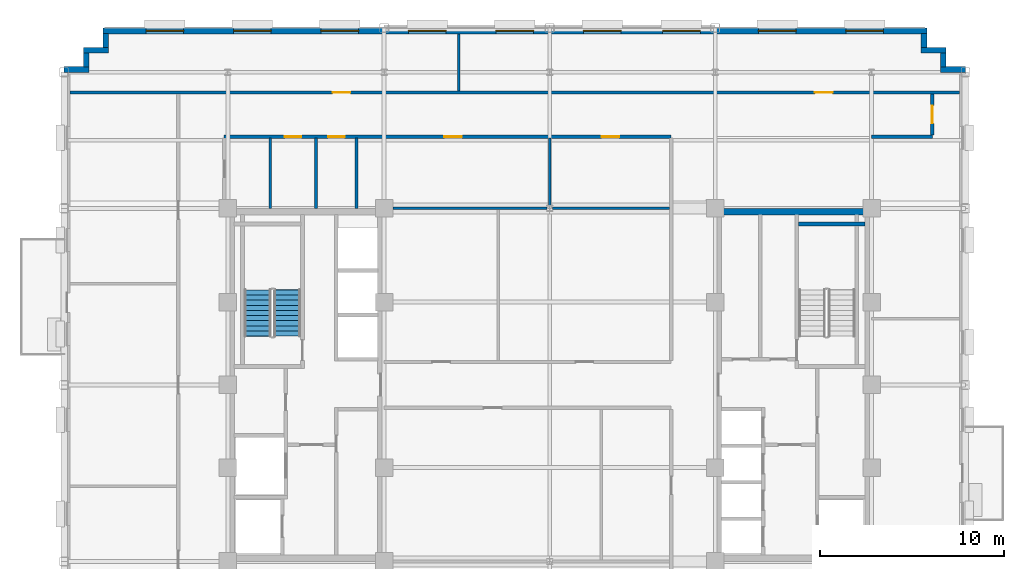
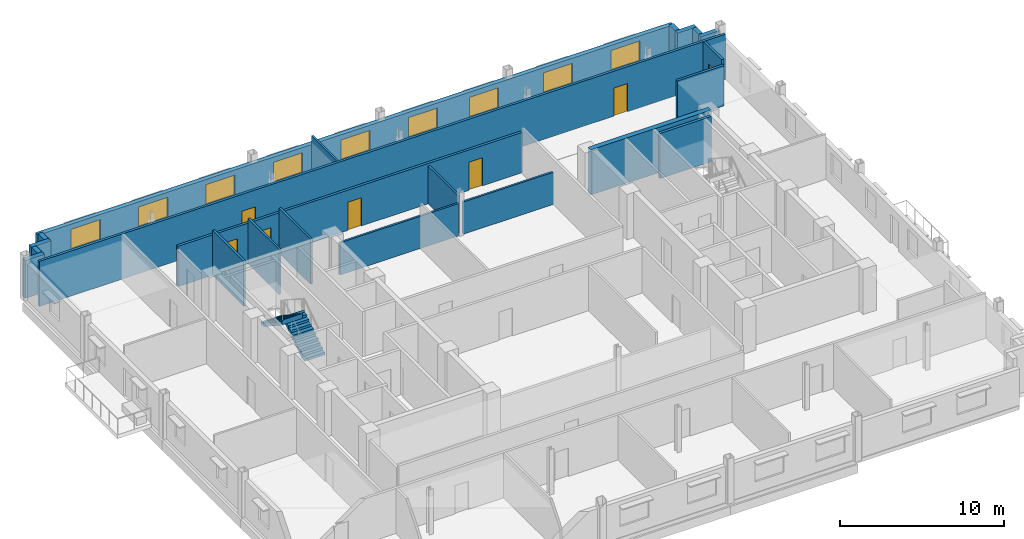
# One storey, part 10 of 15: 22 walls, 9 windows, 7 doors, 2 stair flights, 16 openings, 1 element without a shape of its own.
"""IFC4 building model written with IfcOpenShell, lengths in metres."""

from ifc_helpers import new_model, si_unit, direction, frame, frame_2d, origin, place, context, subcontext, project, spatial, polyline, rectangle, outline, extrude, source, transform, mapped, material, layer, layer_set, type_object, type_shapes, element, fill, aggregate, save


model = new_model("IFC4")

# Units and contexts
model_context = context("Model", 3, precision=1e-05, world=origin(), true_north=direction((0.0, 1.0)))
body_context = subcontext(model_context, "Body", "Model", "MODEL_VIEW")
ifc_project = project(units=[si_unit("LENGTHUNIT", "METRE"), si_unit("AREAUNIT", "SQUARE_METRE"), si_unit("VOLUMEUNIT", "CUBIC_METRE"), si_unit("PLANEANGLEUNIT", "RADIAN"), si_unit("MASSUNIT", "GRAM", prefix="KILO")], contexts=[model_context])

# Site, building, storey
site_placement = place(None, origin())
site = spatial("IfcSite", under=ifc_project, at=site_placement, CompositionType="ELEMENT")
building_placement = place(site_placement, origin())
building = spatial("IfcBuilding", under=site, at=building_placement, Name="Nuvemarco Arch Tower", CompositionType="ELEMENT")
storey_placement = place(building_placement, frame((0.0, 0.0, 198.199951171875)))
storey = spatial("IfcBuildingStorey", under=building, at=storey_placement, Name="L52", CompositionType="ELEMENT", Elevation=198.199951171875)

# Walls
ifc_material_1 = material(Name="Precast concrete C45/55", Category="concrete")
ifc_layer_1 = layer(ifc_material_1, 0.31005859375, Name="EW-UPP-310")
ifc_layer_set_1 = layer_set([ifc_layer_1], Name="Precast concrete C45/55")
wall_type_1 = type_object("IfcWallType", Name="EW-UPP-310", PredefinedType="STANDARD", material=ifc_layer_set_1)
wall_1_placement = place(storey_placement, frame((21.239990234375, 17.14501953125, 0.0), z_axis=(0.0, 0.0, 1.0), x_axis=(1.0, 0.0, 0.0)))
element("IfcWall", 1, at=wall_1_placement, inside=storey, type_object=wall_type_1, Name="L52 exterior precast facade wall 7", PredefinedType="STANDARD", context=body_context, shape_type="SweptSolid", body=[
    extrude(rectangle(XDim=1.360107421875, YDim=0.31005859375, at=frame_2d((0.68017578125, 0.0))), origin(), (0.0, 0.0, 1.0), 2.816162109375),
])
wall_2_placement = place(storey_placement, frame((21.39501953125, 17.2958984375, 0.0), z_axis=(0.0, 0.0, 1.0), x_axis=(0.0, 1.0, 0.0)))
element("IfcWall", 2, at=wall_2_placement, inside=storey, type_object=wall_type_1, Name="L52 exterior precast facade wall 8", PredefinedType="STANDARD", context=body_context, shape_type="SweptSolid", body=[
    extrude(rectangle(XDim=0.748046875, YDim=0.31005859375, at=frame_2d((0.3740234375, 0.0))), origin(), (0.0, 0.0, 1.0), 2.816162109375),
])
wall_3_placement = place(storey_placement, frame((20.18994140625, 18.195068359375, 0.0), z_axis=(0.0, 0.0, 1.0), x_axis=(1.0, 0.0, 0.0)))
element("IfcWall", 3, at=wall_3_placement, inside=storey, type_object=wall_type_1, Name="L52 exterior precast facade wall 9", PredefinedType="STANDARD", context=body_context, shape_type="SweptSolid", body=[
    extrude(rectangle(XDim=1.360107421875, YDim=0.31005859375, at=frame_2d((0.68017578125, 0.0))), origin(), (0.0, 0.0, 1.0), 2.816162109375),
])
wall_4_placement = place(storey_placement, frame((20.344970703125, 18.345947265625, 0.0), z_axis=(0.0, 0.0, 1.0), x_axis=(0.0, 1.0, 0.0)))
element("IfcWall", 4, at=wall_4_placement, inside=storey, type_object=wall_type_1, Name="L52 exterior precast facade wall 10", PredefinedType="STANDARD", context=body_context, shape_type="SweptSolid", body=[
    extrude(rectangle(XDim=0.748046875, YDim=0.31005859375, at=frame_2d((0.3740234375, 0.0))), origin(), (0.0, 0.0, 1.0), 2.816162109375),
])

# Wall, openings, windows
wall_5_placement = place(storey_placement, frame((-24.300048828125, 19.2451171875, 0.0), z_axis=(0.0, 0.0, 1.0), x_axis=(1.0, 0.0, 0.0)))
wall_5 = element("IfcWall", 5, at=wall_5_placement, inside=storey, type_object=wall_type_1, Name="L52 exterior precast facade wall 11", PredefinedType="STANDARD", context=body_context, shape_type="SweptSolid", body=[
    extrude(rectangle(XDim=44.800048828125, YDim=0.31005859375, at=frame_2d((22.39990234375, 0.0))), origin(), (0.0, 0.0, 1.0), 2.705078125),
])
opening_1_placement = place(wall_5_placement, frame((2.352783203125, 0.0, 0.800048828125)))
opening_1 = element("IfcOpeningElement", 6, at=opening_1_placement, cuts=wall_5, Name="Opening WN-12", PredefinedType="OPENING", context=body_context, shape_type="SweptSolid", body=[
    extrude(rectangle(XDim=2.050048828125, YDim=1.52001953125, at=frame_2d((1.02490234375, 0.760009765625))), frame((0.0, 0.1650390625, 0.0), z_axis=(0.0, -1.0, 0.0), x_axis=(1.0, 0.0, 0.0)), (0.0, 0.0, 1.0), 0.330078125),
])
opening_2_placement = place(wall_5_placement, frame((7.1083984375, 0.0, 0.800048828125)))
opening_2 = element("IfcOpeningElement", 7, at=opening_2_placement, cuts=wall_5, Name="Opening WN-12", PredefinedType="OPENING", context=body_context, shape_type="SweptSolid", body=[
    extrude(rectangle(XDim=2.050048828125, YDim=1.52001953125, at=frame_2d((1.02490234375, 0.760009765625))), frame((0.0, 0.1650390625, 0.0), z_axis=(0.0, -1.0, 0.0), x_axis=(1.0, 0.0, 0.0)), (0.0, 0.0, 1.0), 0.330078125),
])
opening_3_placement = place(wall_5_placement, frame((11.864013671875, 0.0, 0.800048828125)))
opening_3 = element("IfcOpeningElement", 8, at=opening_3_placement, cuts=wall_5, Name="Opening WN-12", PredefinedType="OPENING", context=body_context, shape_type="SweptSolid", body=[
    extrude(rectangle(XDim=2.050048828125, YDim=1.52001953125, at=frame_2d((1.02490234375, 0.760009765625))), frame((0.0, 0.1650390625, 0.0), z_axis=(0.0, -1.0, 0.0), x_axis=(1.0, 0.0, 0.0)), (0.0, 0.0, 1.0), 0.330078125),
])
opening_4_placement = place(wall_5_placement, frame((16.619384765625, 0.0, 0.800048828125)))
opening_4 = element("IfcOpeningElement", 9, at=opening_4_placement, cuts=wall_5, Name="Opening WN-12", PredefinedType="OPENING", context=body_context, shape_type="SweptSolid", body=[
    extrude(rectangle(XDim=2.050048828125, YDim=1.52001953125, at=frame_2d((1.02490234375, 0.760009765625))), frame((0.0, 0.1650390625, 0.0), z_axis=(0.0, -1.0, 0.0), x_axis=(1.0, 0.0, 0.0)), (0.0, 0.0, 1.0), 0.330078125),
])
opening_5_placement = place(wall_5_placement, frame((21.375, 0.0, 0.800048828125)))
opening_5 = element("IfcOpeningElement", 10, at=opening_5_placement, cuts=wall_5, Name="Opening WN-12", PredefinedType="OPENING", context=body_context, shape_type="SweptSolid", body=[
    extrude(rectangle(XDim=2.050048828125, YDim=1.52001953125, at=frame_2d((1.02490234375, 0.760009765625))), frame((0.0, 0.1650390625, 0.0), z_axis=(0.0, -1.0, 0.0), x_axis=(1.0, 0.0, 0.0)), (0.0, 0.0, 1.0), 0.330078125),
])
opening_6_placement = place(wall_5_placement, frame((26.130615234375, 0.0, 0.800048828125)))
opening_6 = element("IfcOpeningElement", 11, at=opening_6_placement, cuts=wall_5, Name="Opening WN-12", PredefinedType="OPENING", context=body_context, shape_type="SweptSolid", body=[
    extrude(rectangle(XDim=2.050048828125, YDim=1.52001953125, at=frame_2d((1.02490234375, 0.760009765625))), frame((0.0, 0.1650390625, 0.0), z_axis=(0.0, -1.0, 0.0), x_axis=(1.0, 0.0, 0.0)), (0.0, 0.0, 1.0), 0.330078125),
])
opening_7_placement = place(wall_5_placement, frame((30.43603515625, 0.0, 0.800048828125)))
opening_7 = element("IfcOpeningElement", 12, at=opening_7_placement, cuts=wall_5, Name="Opening WN-12", PredefinedType="OPENING", context=body_context, shape_type="SweptSolid", body=[
    extrude(rectangle(XDim=2.050048828125, YDim=1.52001953125, at=frame_2d((1.02490234375, 0.760009765625))), frame((0.0, 0.1650390625, 0.0), z_axis=(0.0, -1.0, 0.0), x_axis=(1.0, 0.0, 0.0)), (0.0, 0.0, 1.0), 0.330078125),
])
opening_8_placement = place(wall_5_placement, frame((35.6416015625, 0.0, 0.800048828125)))
opening_8 = element("IfcOpeningElement", 13, at=opening_8_placement, cuts=wall_5, Name="Opening WN-12", PredefinedType="OPENING", context=body_context, shape_type="SweptSolid", body=[
    extrude(rectangle(XDim=2.050048828125, YDim=1.52001953125, at=frame_2d((1.02490234375, 0.760009765625))), frame((0.0, 0.1650390625, 0.0), z_axis=(0.0, -1.0, 0.0), x_axis=(1.0, 0.0, 0.0)), (0.0, 0.0, 1.0), 0.330078125),
])
opening_9_placement = place(wall_5_placement, frame((40.397216796875, 0.0, 0.800048828125)))
opening_9 = element("IfcOpeningElement", 14, at=opening_9_placement, cuts=wall_5, Name="Opening WN-12", PredefinedType="OPENING", context=body_context, shape_type="SweptSolid", body=[
    extrude(rectangle(XDim=2.050048828125, YDim=1.52001953125, at=frame_2d((1.02490234375, 0.760009765625))), frame((0.0, 0.1650390625, 0.0), z_axis=(0.0, -1.0, 0.0), x_axis=(1.0, 0.0, 0.0)), (0.0, 0.0, 1.0), 0.330078125),
])
ifc_material_2 = material(Name="Insulated solar-control glass", Category="glass")
window_type = type_object("IfcWindowType", Name="WN-SET-2050x1520", PartitioningType="DOUBLE_PANEL_VERTICAL", PredefinedType="WINDOW", material=ifc_material_2)
shared_shape_1 = source(origin(), body_context, "Body", "SweptSolid", [
    extrude(rectangle(XDim=2.050048828125, YDim=1.52001953125, at=frame_2d((1.02490234375, 0.760009765625))), frame((0.0, 0.030029296875, 0.0), z_axis=(0.0, -1.0, 0.0), x_axis=(1.0, 0.0, 0.0)), (0.0, 0.0, 1.0), 0.06005859375),
])
type_shapes(window_type, [shared_shape_1])
window_1_placement = place(opening_1_placement, origin())
window_1 = element("IfcWindow", 15, at=window_1_placement, inside=storey, type_object=window_type, Name="L52 punched facade window 1", OverallHeight=1.52001953125, OverallWidth=2.050048828125, PartitioningType="SINGLE_PANEL", PredefinedType="WINDOW", context=body_context, shape_type="MappedRepresentation", body=[
    mapped(shared_shape_1, transform((0.0, 0.0, 0.0), scale=1.0)),
])
fill(opening_1, window_1)
window_2_placement = place(opening_2_placement, origin())
window_2 = element("IfcWindow", 16, at=window_2_placement, inside=storey, type_object=window_type, Name="L52 punched facade window 2", OverallHeight=1.52001953125, OverallWidth=2.050048828125, PartitioningType="SINGLE_PANEL", PredefinedType="WINDOW", context=body_context, shape_type="MappedRepresentation", body=[
    mapped(shared_shape_1, transform((0.0, 0.0, 0.0), scale=1.0)),
])
fill(opening_2, window_2)
window_3_placement = place(opening_3_placement, origin())
window_3 = element("IfcWindow", 17, at=window_3_placement, inside=storey, type_object=window_type, Name="L52 punched facade window 3", OverallHeight=1.52001953125, OverallWidth=2.050048828125, PartitioningType="SINGLE_PANEL", PredefinedType="WINDOW", context=body_context, shape_type="MappedRepresentation", body=[
    mapped(shared_shape_1, transform((0.0, 0.0, 0.0), scale=1.0)),
])
fill(opening_3, window_3)
window_4_placement = place(opening_4_placement, origin())
window_4 = element("IfcWindow", 18, at=window_4_placement, inside=storey, type_object=window_type, Name="L52 punched facade window 4", OverallHeight=1.52001953125, OverallWidth=2.050048828125, PartitioningType="SINGLE_PANEL", PredefinedType="WINDOW", context=body_context, shape_type="MappedRepresentation", body=[
    mapped(shared_shape_1, transform((0.0, 0.0, 0.0), scale=1.0)),
])
fill(opening_4, window_4)
window_5_placement = place(opening_5_placement, origin())
window_5 = element("IfcWindow", 19, at=window_5_placement, inside=storey, type_object=window_type, Name="L52 punched facade window 5", OverallHeight=1.52001953125, OverallWidth=2.050048828125, PartitioningType="SINGLE_PANEL", PredefinedType="WINDOW", context=body_context, shape_type="MappedRepresentation", body=[
    mapped(shared_shape_1, transform((0.0, 0.0, 0.0), scale=1.0)),
])
fill(opening_5, window_5)
window_6_placement = place(opening_6_placement, origin())
window_6 = element("IfcWindow", 20, at=window_6_placement, inside=storey, type_object=window_type, Name="L52 punched facade window 6", OverallHeight=1.52001953125, OverallWidth=2.050048828125, PartitioningType="SINGLE_PANEL", PredefinedType="WINDOW", context=body_context, shape_type="MappedRepresentation", body=[
    mapped(shared_shape_1, transform((0.0, 0.0, 0.0), scale=1.0)),
])
fill(opening_6, window_6)
window_7_placement = place(opening_7_placement, origin())
window_7 = element("IfcWindow", 21, at=window_7_placement, inside=storey, type_object=window_type, Name="L52 punched facade window 7", OverallHeight=1.52001953125, OverallWidth=2.050048828125, PartitioningType="SINGLE_PANEL", PredefinedType="WINDOW", context=body_context, shape_type="MappedRepresentation", body=[
    mapped(shared_shape_1, transform((0.0, 0.0, 0.0), scale=1.0)),
])
fill(opening_7, window_7)
window_8_placement = place(opening_8_placement, origin())
window_8 = element("IfcWindow", 22, at=window_8_placement, inside=storey, type_object=window_type, Name="L52 punched facade window 8", OverallHeight=1.52001953125, OverallWidth=2.050048828125, PartitioningType="SINGLE_PANEL", PredefinedType="WINDOW", context=body_context, shape_type="MappedRepresentation", body=[
    mapped(shared_shape_1, transform((0.0, 0.0, 0.0), scale=1.0)),
])
fill(opening_8, window_8)
window_9_placement = place(opening_9_placement, origin())
window_9 = element("IfcWindow", 23, at=window_9_placement, inside=storey, type_object=window_type, Name="L52 punched facade window 9", OverallHeight=1.52001953125, OverallWidth=2.050048828125, PartitioningType="SINGLE_PANEL", PredefinedType="WINDOW", context=body_context, shape_type="MappedRepresentation", body=[
    mapped(shared_shape_1, transform((0.0, 0.0, 0.0), scale=1.0)),
])
fill(opening_9, window_9)

# Walls
wall_6_placement = place(storey_placement, frame((-24.14501953125, 18.345947265625, 0.0), z_axis=(0.0, 0.0, 1.0), x_axis=(0.0, 1.0, 0.0)))
element("IfcWall", 24, at=wall_6_placement, inside=storey, type_object=wall_type_1, Name="L52 exterior precast facade wall 12", PredefinedType="STANDARD", context=body_context, shape_type="SweptSolid", body=[
    extrude(rectangle(XDim=0.748046875, YDim=0.31005859375, at=frame_2d((0.3740234375, 0.0))), origin(), (0.0, 0.0, 1.0), 2.816162109375),
])
wall_7_placement = place(storey_placement, frame((-25.35009765625, 18.195068359375, 0.0), z_axis=(0.0, 0.0, 1.0), x_axis=(1.0, 0.0, 0.0)))
element("IfcWall", 25, at=wall_7_placement, inside=storey, type_object=wall_type_1, Name="L52 exterior precast facade wall 13", PredefinedType="STANDARD", context=body_context, shape_type="SweptSolid", body=[
    extrude(rectangle(XDim=1.360107421875, YDim=0.31005859375, at=frame_2d((0.68017578125, 0.0))), origin(), (0.0, 0.0, 1.0), 2.816162109375),
])
wall_8_placement = place(storey_placement, frame((-25.195068359375, 17.2958984375, 0.0), z_axis=(0.0, 0.0, 1.0), x_axis=(0.0, 1.0, 0.0)))
element("IfcWall", 26, at=wall_8_placement, inside=storey, type_object=wall_type_1, Name="L52 exterior precast facade wall 14", PredefinedType="STANDARD", context=body_context, shape_type="SweptSolid", body=[
    extrude(rectangle(XDim=0.748046875, YDim=0.31005859375, at=frame_2d((0.3740234375, 0.0))), origin(), (0.0, 0.0, 1.0), 2.816162109375),
])
wall_9_placement = place(storey_placement, frame((-26.39990234375, 17.14501953125, 0.0), z_axis=(0.0, 0.0, 1.0), x_axis=(1.0, 0.0, 0.0)))
element("IfcWall", 27, at=wall_9_placement, inside=storey, type_object=wall_type_1, Name="L52 exterior precast facade wall 15", PredefinedType="STANDARD", context=body_context, shape_type="SweptSolid", body=[
    extrude(rectangle(XDim=1.35986328125, YDim=0.31005859375, at=frame_2d((0.679931640625, 0.0))), origin(), (0.0, 0.0, 1.0), 2.816162109375),
])
ifc_material_3 = material(Name="Concrete C50/60", Category="concrete")
ifc_layer_2 = layer(ifc_material_3, 0.35009765625, Name="WL-CORE-350")
ifc_layer_set_2 = layer_set([ifc_layer_2], Name="Concrete C50/60")
wall_type_2 = type_object("IfcWallType", Name="WL-CORE-350", PredefinedType="SHEAR", material=ifc_layer_set_2)
wall_10_placement = place(storey_placement, frame((9.0, 9.425048828125, 0.0), z_axis=(0.0, 0.0, 1.0), x_axis=(1.0, 0.0, 0.0)))
element("IfcWall", 28, at=wall_10_placement, inside=storey, type_object=wall_type_2, Name="L52 E-core shear wall N", PredefinedType="SHEAR", context=body_context, shape_type="SweptSolid", body=[
    extrude(rectangle(XDim=8.5, YDim=0.35009765625, at=frame_2d((4.25, 0.0))), origin(), (0.0, 0.0, 1.0), 3.3701171875),
])

# Wall, openings, doors
ifc_material_4 = material(Name="Fire-rated gypsum drywall partition")
ifc_layer_3 = layer(ifc_material_4, 0.179931640625, Name="WL-CORR-180")
ifc_layer_set_3 = layer_set([ifc_layer_3], Name="Fire-rated gypsum drywall partition")
wall_type_3 = type_object("IfcWallType", Name="WL-CORR-180", PredefinedType="PARTITIONING", material=ifc_layer_set_3)
wall_11_placement = place(storey_placement, frame((-17.699951171875, 13.5, 0.0), z_axis=(0.0, 0.0, 1.0), x_axis=(1.0, 0.0, 0.0)))
wall_11 = element("IfcWall", 29, at=wall_11_placement, inside=storey, type_object=wall_type_3, Name="L52 interior wall IW-L52-013", PredefinedType="PARTITIONING", context=body_context, shape_type="SweptSolid", body=[
    extrude(rectangle(XDim=24.300048828125, YDim=0.179931640625, at=frame_2d((12.14990234375, 0.0))), origin(), (0.0, 0.0, 1.0), 3.008056640625),
])
opening_10_placement = place(wall_11_placement, frame((11.969970703125, 0.0, 0.0)))
opening_10 = element("IfcOpeningElement", 30, at=opening_10_placement, cuts=wall_11, Name="Opening FD-5", PredefinedType="OPENING", context=body_context, shape_type="SweptSolid", body=[
    extrude(rectangle(XDim=0.9599609375, YDim=2.10009765625, at=frame_2d((0.47998046875, 1.050048828125))), frame((0.0, 0.099853515625, 0.0), z_axis=(0.0, -1.0, 0.0), x_axis=(1.0, 0.0, 0.0)), (0.0, 0.0, 1.0), 0.199951171875),
])
opening_11_placement = place(wall_11_placement, frame((20.52001953125, 0.0, 0.0)))
opening_11 = element("IfcOpeningElement", 31, at=opening_11_placement, cuts=wall_11, Name="Opening FD-5", PredefinedType="OPENING", context=body_context, shape_type="SweptSolid", body=[
    extrude(rectangle(XDim=0.9599609375, YDim=2.10009765625, at=frame_2d((0.47998046875, 1.050048828125))), frame((0.0, 0.099853515625, 0.0), z_axis=(0.0, -1.0, 0.0), x_axis=(1.0, 0.0, 0.0)), (0.0, 0.0, 1.0), 0.199951171875),
])
opening_12_placement = place(wall_11_placement, frame((3.300048828125, 0.0, 0.0)))
opening_12 = element("IfcOpeningElement", 32, at=opening_12_placement, cuts=wall_11, Name="Opening ID-3", PredefinedType="OPENING", context=body_context, shape_type="SweptSolid", body=[
    extrude(rectangle(XDim=0.89990234375, YDim=2.10009765625, at=frame_2d((0.449951171875, 1.050048828125))), frame((0.0, 0.099853515625, 0.0), z_axis=(0.0, -1.0, 0.0), x_axis=(1.0, 0.0, 0.0)), (0.0, 0.0, 1.0), 0.199951171875),
])
opening_13_placement = place(wall_11_placement, frame((5.64990234375, 0.0, 0.0)))
opening_13 = element("IfcOpeningElement", 33, at=opening_13_placement, cuts=wall_11, Name="Opening ID-3", PredefinedType="OPENING", context=body_context, shape_type="SweptSolid", body=[
    extrude(rectangle(XDim=0.89990234375, YDim=2.10009765625, at=frame_2d((0.449951171875, 1.050048828125))), frame((0.0, 0.099853515625, 0.0), z_axis=(0.0, -1.0, 0.0), x_axis=(1.0, 0.0, 0.0)), (0.0, 0.0, 1.0), 0.199951171875),
])
ifc_material_5 = material(Name="Timber fire door", Category="wood")
door_type_1 = type_object("IfcDoorType", Name="DR-CORR-FD", OperationType="NOTDEFINED", PredefinedType="DOOR", material=ifc_material_5)
shared_shape_2 = source(origin(), body_context, "Body", "SweptSolid", [
    extrude(rectangle(XDim=0.9599609375, YDim=2.10009765625, at=frame_2d((0.47998046875, 1.050048828125))), frame((0.0, 0.02490234375, 0.0), z_axis=(0.0, -1.0, 0.0), x_axis=(1.0, 0.0, 0.0)), (0.0, 0.0, 1.0), 0.050048828125),
])
type_shapes(door_type_1, [shared_shape_2])
door_1_placement = place(opening_10_placement, origin())
door_1 = element("IfcDoor", 34, at=door_1_placement, inside=storey, type_object=door_type_1, Name="L52 door DR-L52-IN_N1", OperationType="SINGLE_SWING_RIGHT", OverallHeight=2.10009765625, OverallWidth=0.9599609375, PredefinedType="DOOR", context=body_context, shape_type="MappedRepresentation", body=[
    mapped(shared_shape_2, transform((0.0, 0.0, 0.0), scale=1.0)),
])
fill(opening_10, door_1)
door_2_placement = place(opening_11_placement, origin())
door_2 = element("IfcDoor", 35, at=door_2_placement, inside=storey, type_object=door_type_1, Name="L52 door DR-L52-IN_N2", OperationType="SINGLE_SWING_RIGHT", OverallHeight=2.10009765625, OverallWidth=0.9599609375, PredefinedType="DOOR", context=body_context, shape_type="MappedRepresentation", body=[
    mapped(shared_shape_2, transform((0.0, 0.0, 0.0), scale=1.0)),
])
fill(opening_11, door_2)
ifc_material_6 = material(Name="Veneered oak timber fire door", Category="wood")
door_type_2 = type_object("IfcDoorType", Name="DR-WC-ACC", OperationType="NOTDEFINED", PredefinedType="DOOR", material=ifc_material_6)
shared_shape_3 = source(origin(), body_context, "Body", "SweptSolid", [
    extrude(rectangle(XDim=0.89990234375, YDim=2.10009765625, at=frame_2d((0.449951171875, 1.050048828125))), frame((0.0, 0.02490234375, 0.0), z_axis=(0.0, -1.0, 0.0), x_axis=(1.0, 0.0, 0.0)), (0.0, 0.0, 1.0), 0.050048828125),
])
type_shapes(door_type_2, [shared_shape_3])
door_3_placement = place(opening_12_placement, origin())
door_3 = element("IfcDoor", 36, at=door_3_placement, inside=storey, type_object=door_type_2, Name="L52 door DR-L52-WC_F", OperationType="SINGLE_SWING_LEFT", OverallHeight=2.10009765625, OverallWidth=0.89990234375, PredefinedType="DOOR", context=body_context, shape_type="MappedRepresentation", body=[
    mapped(shared_shape_3, transform((0.0, 0.0, 0.0), scale=1.0)),
])
fill(opening_12, door_3)
door_4_placement = place(opening_13_placement, origin())
door_4 = element("IfcDoor", 37, at=door_4_placement, inside=storey, type_object=door_type_2, Name="L52 door DR-L52-WC_ACC", OperationType="SINGLE_SWING_RIGHT", OverallHeight=2.10009765625, OverallWidth=0.89990234375, PredefinedType="DOOR", context=body_context, shape_type="MappedRepresentation", body=[
    mapped(shared_shape_3, transform((0.0, 0.0, 0.0), scale=1.0)),
])
fill(opening_13, door_4)

# Wall
wall_12_placement = place(storey_placement, frame((17.5, 13.5, 0.0), z_axis=(0.0, 0.0, 1.0), x_axis=(1.0, 0.0, 0.0)))
element("IfcWall", 38, at=wall_12_placement, inside=storey, type_object=wall_type_3, Name="L52 interior wall IW-L52-014", PredefinedType="PARTITIONING", context=body_context, shape_type="SweptSolid", body=[
    extrude(rectangle(XDim=3.300048828125, YDim=0.179931640625, at=frame_2d((1.64990234375, 0.0))), origin(), (0.0, 0.0, 1.0), 3.008056640625),
])

# Wall, openings, doors
wall_13_placement = place(storey_placement, frame((-26.090087890625, 15.89990234375, 0.0), z_axis=(0.0, 0.0, 1.0), x_axis=(1.0, 0.0, 0.0)))
wall_13 = element("IfcWall", 39, at=wall_13_placement, inside=storey, type_object=wall_type_3, Name="L52 interior wall IW-L52-015", PredefinedType="PARTITIONING", context=body_context, shape_type="SweptSolid", body=[
    extrude(rectangle(XDim=48.380126953125, YDim=0.179931640625, at=frame_2d((24.18994140625, 0.0))), origin(), (0.0, 0.0, 1.0), 3.360107421875),
])
opening_14_placement = place(wall_13_placement, frame((14.2900390625, 0.0, 0.0)))
opening_14 = element("IfcOpeningElement", 40, at=opening_14_placement, cuts=wall_13, Name="Opening FD-5", PredefinedType="OPENING", context=body_context, shape_type="SweptSolid", body=[
    extrude(rectangle(XDim=0.9599609375, YDim=2.10009765625, at=frame_2d((0.47998046875, 1.050048828125))), frame((0.0, 0.099853515625, 0.0), z_axis=(0.0, -1.0, 0.0), x_axis=(1.0, 0.0, 0.0)), (0.0, 0.0, 1.0), 0.199951171875),
])
opening_15_placement = place(wall_13_placement, frame((40.510009765625, 0.0, 0.0)))
opening_15 = element("IfcOpeningElement", 41, at=opening_15_placement, cuts=wall_13, Name="Opening FD-5", PredefinedType="OPENING", context=body_context, shape_type="SweptSolid", body=[
    extrude(rectangle(XDim=0.9599609375, YDim=2.10009765625, at=frame_2d((0.47998046875, 1.050048828125))), frame((0.0, 0.099853515625, 0.0), z_axis=(0.0, -1.0, 0.0), x_axis=(1.0, 0.0, 0.0)), (0.0, 0.0, 1.0), 0.199951171875),
])
door_5_placement = place(opening_14_placement, origin())
door_5 = element("IfcDoor", 42, at=door_5_placement, inside=storey, type_object=door_type_1, Name="L52 door DR-L52-N_1", OperationType="SINGLE_SWING_RIGHT", OverallHeight=2.10009765625, OverallWidth=0.9599609375, PredefinedType="DOOR", context=body_context, shape_type="MappedRepresentation", body=[
    mapped(shared_shape_2, transform((0.0, 0.0, 0.0), scale=1.0)),
])
fill(opening_14, door_5)
door_6_placement = place(opening_15_placement, origin())
door_6 = element("IfcDoor", 43, at=door_6_placement, inside=storey, type_object=door_type_1, Name="L52 door DR-L52-N_2", OperationType="SINGLE_SWING_LEFT", OverallHeight=2.10009765625, OverallWidth=0.9599609375, PredefinedType="DOOR", context=body_context, shape_type="MappedRepresentation", body=[
    mapped(shared_shape_2, transform((0.0, 0.0, 0.0), scale=1.0)),
])
fill(opening_15, door_6)

# Wall, opening, door
wall_14_placement = place(storey_placement, frame((20.800048828125, 13.5859375, 0.0), z_axis=(0.0, 0.0, 1.0), x_axis=(0.0, 1.0, 0.0)))
wall_14 = element("IfcWall", 44, at=wall_14_placement, inside=storey, type_object=wall_type_3, Name="L52 interior wall IW-L52-034", PredefinedType="PARTITIONING", context=body_context, shape_type="SweptSolid", body=[
    extrude(rectangle(XDim=2.22802734375, YDim=0.179931640625, at=frame_2d((1.114013671875, 0.0))), origin(), (0.0, 0.0, 1.0), 3.360107421875),
])
opening_16_placement = place(wall_14_placement, frame((0.634033203125, 0.0, 0.0)))
opening_16 = element("IfcOpeningElement", 45, at=opening_16_placement, cuts=wall_14, Name="Opening FD-5", PredefinedType="OPENING", context=body_context, shape_type="SweptSolid", body=[
    extrude(rectangle(XDim=0.9599609375, YDim=2.10009765625, at=frame_2d((0.47998046875, 1.050048828125))), frame((0.0, 0.099853515625, 0.0), z_axis=(0.0, -1.0, 0.0), x_axis=(1.0, 0.0, 0.0)), (0.0, 0.0, 1.0), 0.199951171875),
])
door_7_placement = place(opening_16_placement, origin())
door_7 = element("IfcDoor", 46, at=door_7_placement, inside=storey, type_object=door_type_1, Name="L52 door DR-L52-E_2", OperationType="SINGLE_SWING_LEFT", OverallHeight=2.10009765625, OverallWidth=0.9599609375, PredefinedType="DOOR", context=body_context, shape_type="MappedRepresentation", body=[
    mapped(shared_shape_2, transform((0.0, 0.0, 0.0), scale=1.0)),
])
fill(opening_16, door_7)

# Walls
ifc_material_7 = material(Name="Glazed acoustic office partition")
ifc_layer_4 = layer(ifc_material_7, 0.1298828125, Name="WL-EXEC-130")
ifc_layer_set_4 = layer_set([ifc_layer_4], Name="Glazed acoustic office partition")
wall_type_4 = type_object("IfcWallType", Name="WL-EXEC-130", PredefinedType="PARTITIONING", material=ifc_layer_set_4)
wall_15_placement = place(storey_placement, frame((-4.93994140625, 15.986083984375, 0.0), z_axis=(0.0, 0.0, 1.0), x_axis=(0.0, 1.0, 0.0)))
element("IfcWall", 47, at=wall_15_placement, inside=storey, type_object=wall_type_4, Name="L52 interior wall IW-L52-024", PredefinedType="PARTITIONING", context=body_context, shape_type="SweptSolid", body=[
    extrude(rectangle(XDim=3.10400390625, YDim=0.1298828125, at=frame_2d((1.552001953125, 0.0))), origin(), (0.0, 0.0, 1.0), 3.360107421875),
])
ifc_material_8 = material(Name="Gypsum plasterboard partition")
ifc_layer_5 = layer(ifc_material_8, 0.139892578125, Name="WL-ROOM-140")
ifc_layer_set_5 = layer_set([ifc_layer_5], Name="Gypsum plasterboard partition")
wall_type_5 = type_object("IfcWallType", Name="WL-ROOM-140", PredefinedType="PARTITIONING", material=ifc_layer_set_5)
wall_16_placement = place(storey_placement, frame((-8.529052734375, 9.60009765625, 0.0), z_axis=(0.0, 0.0, 1.0), x_axis=(1.0, 0.0, 0.0)))
element("IfcWall", 48, at=wall_16_placement, inside=storey, type_object=wall_type_5, Name="L52 interior wall IW-L52-011", PredefinedType="PARTITIONING", context=body_context, shape_type="SweptSolid", body=[
    extrude(rectangle(XDim=8.378173828125, YDim=0.139892578125, at=frame_2d((4.18896484375, 0.0))), origin(), (0.0, 0.0, 1.0), 2.405029296875),
])
wall_17_placement = place(storey_placement, frame((0.15087890625, 9.60009765625, 0.0), z_axis=(0.0, 0.0, 1.0), x_axis=(1.0, 0.0, 0.0)))
element("IfcWall", 49, at=wall_17_placement, inside=storey, type_object=wall_type_5, Name="L52 interior wall IW-L52-012", PredefinedType="PARTITIONING", context=body_context, shape_type="SweptSolid", body=[
    extrude(rectangle(XDim=6.363037109375, YDim=0.139892578125, at=frame_2d((3.181640625, 0.0))), origin(), (0.0, 0.0, 1.0), 2.405029296875),
])
wall_18_placement = place(storey_placement, frame((0.0, 9.7509765625, 0.0), z_axis=(0.0, 0.0, 1.0), x_axis=(0.0, 1.0, 0.0)))
element("IfcWall", 50, at=wall_18_placement, inside=storey, type_object=wall_type_5, Name="L52 interior wall IW-L52-027", PredefinedType="PARTITIONING", context=body_context, shape_type="SweptSolid", body=[
    extrude(rectangle(XDim=3.6630859375, YDim=0.139892578125, at=frame_2d((1.83154296875, 0.0))), origin(), (0.0, 0.0, 1.0), 2.816162109375),
])
ifc_layer_6 = layer(ifc_material_3, 0.199951171875, Name="WL-SHAFT-220")
ifc_layer_set_6 = layer_set([ifc_layer_6], Name="Concrete C50/60")
wall_type_6 = type_object("IfcWallType", Name="WL-SHAFT-220", PredefinedType="SHEAR", material=ifc_layer_set_6)
wall_19_placement = place(storey_placement, frame((13.534912109375, 8.75, 0.0), z_axis=(0.0, 0.0, 1.0), x_axis=(1.0, 0.0, 0.0)))
element("IfcWall", 51, at=wall_19_placement, inside=storey, type_object=wall_type_6, Name="L52 structural shaft wall SW-L52-E-ST2N", PredefinedType="SHEAR", context=body_context, shape_type="SweptSolid", body=[
    extrude(rectangle(XDim=3.6201171875, YDim=0.199951171875, at=frame_2d((1.81005859375, 0.0))), origin(), (0.0, 0.0, 1.0), 3.3701171875),
])
ifc_material_9 = material(Name="Moisture-resistant gypsum partition")
ifc_layer_7 = layer(ifc_material_9, 0.14990234375, Name="WL-WET-150")
ifc_layer_set_7 = layer_set([ifc_layer_7], Name="Moisture-resistant gypsum partition")
wall_type_7 = type_object("IfcWallType", Name="WL-WET-150", PredefinedType="PARTITIONING", material=ifc_layer_set_7)
for number, where, z_axis, x_axis, name in (
    (52, (-15.199951171875, 9.60009765625, 0.0), (0.0, 0.0, 1.0), (0.0, 1.0, 0.0), "L52 interior wall IW-L52-020"),
    (53, (-12.699951171875, 9.60009765625, 0.0), (0.0, 0.0, 1.0), (0.0, 1.0, 0.0), "L52 interior wall IW-L52-021"),
    (54, (-10.5, 9.60009765625, 0.0), (0.0, 0.0, 1.0), (0.0, 1.0, 0.0), "L52 interior wall IW-L52-023"),
):
    element("IfcWall", number, at=place(storey_placement, frame(where, z_axis=z_axis, x_axis=x_axis)), inside=storey, type_object=wall_type_7, Name=name, PredefinedType="PARTITIONING", context=body_context, shape_type="SweptSolid", body=[
        extrude(rectangle(XDim=3.81396484375, YDim=0.14990234375, at=frame_2d((1.906982421875, 0.0))), origin(), (0.0, 0.0, 1.0), 3.360107421875),
    ])

# Stair, stair flights
stair_type = type_object("IfcStairType", Name="ST-CORE-20R", PredefinedType="HALF_TURN_STAIR", material=ifc_material_1)
stair_placement = place(storey_placement, origin())
stair = element("IfcStair", 55, at=stair_placement, inside=storey, type_object=stair_type, Name="L52 Protected Exit Stair ST-1", PredefinedType="HALF_TURN_STAIR")
stair_flight_type = type_object("IfcStairFlightType", Name="SF-CORE-20R", PredefinedType="STRAIGHT", material=ifc_material_1)
stair_flight_1_placement = place(storey_placement, frame((-14.264892578125, 2.64990234375, 0.0), z_axis=(0.0, 0.0, 1.0), x_axis=(0.0, 1.0, 0.0)))
stair_flight_1 = element("IfcStairFlight", 56, at=stair_flight_1_placement, type_object=stair_flight_type, Name="ST-20R flight 1", NumberOfRisers=10, NumberOfTreads=9, PredefinedType="STRAIGHT", RiserHeight=0.1825, TreadLength=0.28, context=body_context, shape_type="SweptSolid", body=[
    extrude(outline(polyline([(0.0, 0.0), (0.0, 0.1826171875), (0.280029296875, 0.1826171875), (0.280029296875, 0.364990234375), (0.56005859375, 0.364990234375), (0.56005859375, 0.547607421875), (0.840087890625, 0.547607421875), (0.840087890625, 0.72998046875), (1.1201171875, 0.72998046875), (1.1201171875, 0.91259765625), (1.39990234375, 0.91259765625), (1.39990234375, 1.094970703125), (1.679931640625, 1.094970703125), (1.679931640625, 1.277587890625), (1.9599609375, 1.277587890625), (1.9599609375, 1.4599609375), (2.239990234375, 1.4599609375), (2.239990234375, 1.642578125), (2.52001953125, 1.642578125), (2.52001953125, 1.824951171875), (2.5400390625, 1.824951171875), (2.5400390625, 1.45166015625), (0.312744140625, 0.0), (0.0, 0.0)])), frame((0.0, 0.72509765625, 0.0), z_axis=(0.0, -1.0, 0.0), x_axis=(1.0, 0.0, 0.0)), (0.0, 0.0, 1.0), 1.449951171875),
])
stair_flight_2_placement = place(storey_placement, frame((-15.875, 5.169921875, 1.824951171875), z_axis=(0.0, 0.0, 1.0), x_axis=(0.0, -1.0, 0.0)))
stair_flight_2 = element("IfcStairFlight", 57, at=stair_flight_2_placement, type_object=stair_flight_type, Name="ST-20R flight 2", NumberOfRisers=10, NumberOfTreads=9, PredefinedType="STRAIGHT", RiserHeight=0.1825, TreadLength=0.28, context=body_context, shape_type="SweptSolid", body=[
    extrude(outline(polyline([(0.0, 0.0), (0.0, 0.1826171875), (0.280029296875, 0.1826171875), (0.280029296875, 0.364990234375), (0.56005859375, 0.364990234375), (0.56005859375, 0.547607421875), (0.840087890625, 0.547607421875), (0.840087890625, 0.72998046875), (1.1201171875, 0.72998046875), (1.1201171875, 0.91259765625), (1.39990234375, 0.91259765625), (1.39990234375, 1.094970703125), (1.679931640625, 1.094970703125), (1.679931640625, 1.277587890625), (1.9599609375, 1.277587890625), (1.9599609375, 1.4599609375), (2.239990234375, 1.4599609375), (2.239990234375, 1.642578125), (2.52001953125, 1.642578125), (2.52001953125, 1.824951171875), (2.5400390625, 1.824951171875), (2.5400390625, 1.45166015625), (0.312744140625, 0.0), (0.0, 0.0)])), frame((0.0, 0.72509765625, 0.0), z_axis=(0.0, -1.0, 0.0), x_axis=(1.0, 0.0, 0.0)), (0.0, 0.0, 1.0), 1.449951171875),
])
aggregate(stair, [stair_flight_1, stair_flight_2])

save(model, "model.ifc")
